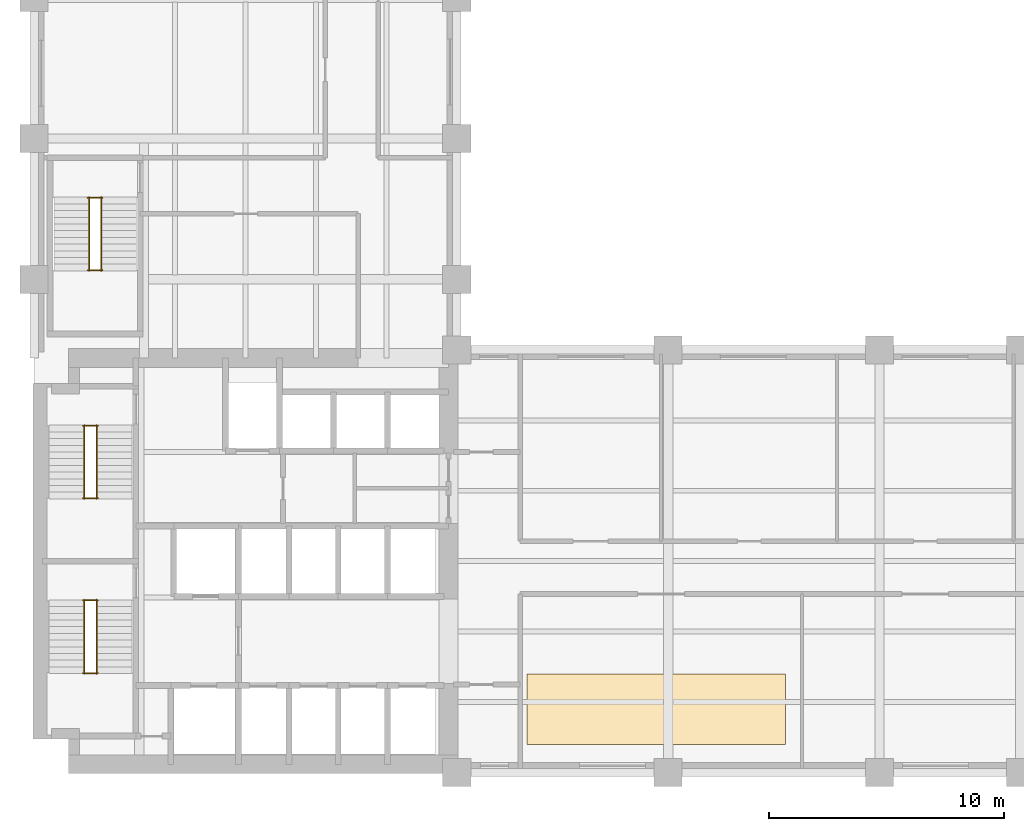
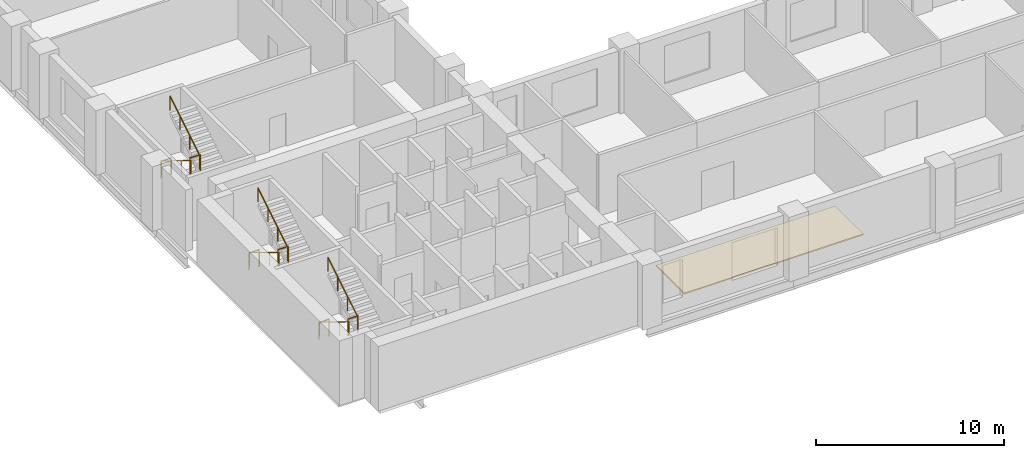
# One storey, part 7 of 7: 12 railings, 1 covering.
"""IFC4 building model written with IfcOpenShell, lengths in metres."""

from ifc_helpers import new_model, si_unit, direction, frame, origin, origin_2d, place, context, subcontext, project, spatial, polyline, circle, outline, extrude, material, layer, layer_set, type_object, element, save


model = new_model("IFC4")

# Units and contexts
model_context = context("Model", 3, precision=1e-05, world=origin(), true_north=direction((0.0, 1.0)))
body_context = subcontext(model_context, "Body", "Model", "MODEL_VIEW")
ifc_project = project(units=[si_unit("LENGTHUNIT", "METRE"), si_unit("AREAUNIT", "SQUARE_METRE"), si_unit("VOLUMEUNIT", "CUBIC_METRE"), si_unit("PLANEANGLEUNIT", "RADIAN"), si_unit("MASSUNIT", "GRAM", prefix="KILO")], contexts=[model_context])

# Site, building, storey
site_placement = place(None, origin())
site = spatial("IfcSite", under=ifc_project, at=site_placement, CompositionType="ELEMENT")
building_placement = place(site_placement, origin())
building = spatial("IfcBuilding", under=site, at=building_placement, Name="Mawjdan Bourse Tower", CompositionType="ELEMENT")
storey_placement = place(building_placement, frame((0.0, 0.0, 55.199951171875)))
storey = spatial("IfcBuildingStorey", under=building, at=storey_placement, Name="L12", CompositionType="ELEMENT", Elevation=55.199951171875)

# Covering
ifc_material_1 = material(Name="Calcium Sulphate Antistatic Raised Floor Tile")
ifc_layer = layer(ifc_material_1, 0.080078125)
ifc_layer_set = layer_set([ifc_layer], Name="Calcium Sulphate Antistatic Raised Floor Tile")
covering_type = type_object("IfcCoveringType", Name="COV-FLR-450", PredefinedType="FLOORING", material=ifc_layer_set)
covering_placement = place(storey_placement, origin())
element("IfcCovering", 1, at=covering_placement, inside=storey, type_object=covering_type, Name="L12 Antistatic Raised Access Trading Floor", PredefinedType="FLOORING", context=body_context, shape_type="SweptSolid", body=[
    extrude(outline(polyline([(27.0, 4.199951171875), (38.0, 4.199951171875), (38.0, 7.199951171875), (27.0, 7.199951171875), (27.0, 4.199951171875)])), origin(), (0.0, 0.0, 1.0), 0.080078125),
])

# Railings
ifc_material_2 = material(Name="Structural Steel S355", Category="steel")
railing_type_1 = type_object("IfcRailingType", Name="RLG-GRD-1100", PredefinedType="GUARDRAIL", material=ifc_material_2)
for number, where, name in (
    (2, (8.090087890625, 7.235107421875, 2.10009765625), "L12 ST1 Landing Guardrail GL-MID"),
    (3, (8.090087890625, 10.330078125, 0.0), "L12 ST1 Landing Guardrail GL-BOT"),
    (4, (8.090087890625, 14.675048828125, 2.10009765625), "L12 ST2 Landing Guardrail GL-MID"),
    (5, (8.090087890625, 17.77001953125, 0.0), "L12 ST2 Landing Guardrail GL-BOT"),
    (6, (8.2900390625, 24.385009765625, 2.10009765625), "L12 ST3 Landing Guardrail GL-MID"),
    (7, (8.2900390625, 27.47998046875, 0.0), "L12 ST3 Landing Guardrail GL-BOT"),
):
    element("IfcRailing", number, at=place(storey_placement, frame(where)), inside=storey, type_object=railing_type_1, Name=name, PredefinedType="GUARDRAIL", context=body_context, shape_type="SweptSolid", body=[
        extrude(circle(Radius=0.02490234375, at=origin_2d()), frame((0.0, 0.0, 1.0751953125), z_axis=(1.0, 0.0, 0.0), x_axis=(0.0, 1.0, 0.0)), (0.0, 0.0, 1.0), 0.619873046875),
        extrude(circle(Radius=0.02099609375, at=origin_2d()), origin(), (0.0, 0.0, 1.0), 1.050048828125),
        extrude(circle(Radius=0.02099609375, at=origin_2d()), frame((0.619873046875, 0.0, 0.0)), (0.0, 0.0, 1.0), 1.050048828125),
    ])
ifc_material_3 = material(Name="Brushed Stainless Steel", Category="steel")
railing_type_2 = type_object("IfcRailingType", Name="RLG-HND-920", PredefinedType="HANDRAIL", material=ifc_material_3)
railing_1_placement = place(storey_placement, frame((8.139892578125, 10.35009765625, 0.175048828125)))
element("IfcRailing", 8, at=railing_1_placement, inside=storey, type_object=railing_type_2, Name="L12 ST1 Flight Handrail HR1", PredefinedType="HANDRAIL", context=body_context, shape_type="SweptSolid", body=[
    extrude(circle(Radius=0.0224609375, at=origin_2d()), frame((0.0, 0.0, 0.8974609375), z_axis=(0.0, -0.852166034122, 0.523271488128), x_axis=(1.0, 0.0, 0.0)), (0.0, 0.0, 1.0), 3.678955078125),
    extrude(circle(Radius=0.01904296875, at=origin_2d()), origin(), (0.0, 0.0, 1.0), 0.875),
    extrude(circle(Radius=0.01904296875, at=origin_2d()), frame((0.0, -1.044921875, 0.6416015625)), (0.0, 0.0, 1.0), 0.875),
    extrude(circle(Radius=0.01904296875, at=origin_2d()), frame((0.0, -2.090087890625, 1.283447265625)), (0.0, 0.0, 1.0), 0.875),
    extrude(circle(Radius=0.01904296875, at=origin_2d()), frame((0.0, -3.135009765625, 1.925048828125)), (0.0, 0.0, 1.0), 0.875),
])
railing_2_placement = place(storey_placement, frame((8.659912109375, 7.215087890625, 2.275146484375)))
element("IfcRailing", 9, at=railing_2_placement, inside=storey, type_object=railing_type_2, Name="L12 ST1 Flight Handrail HR2", PredefinedType="HANDRAIL", context=body_context, shape_type="SweptSolid", body=[
    extrude(circle(Radius=0.0224609375, at=origin_2d()), frame((0.0, 0.0, 0.8974609375), z_axis=(0.0, 0.852195625947, 0.523223293744), x_axis=(-1.0, 0.0, 0.0)), (0.0, 0.0, 1.0), 3.6787109375),
    extrude(circle(Radius=0.01904296875, at=origin_2d()), origin(), (0.0, 0.0, 1.0), 0.875),
    extrude(circle(Radius=0.01904296875, at=origin_2d()), frame((0.0, 1.044921875, 0.6416015625)), (0.0, 0.0, 1.0), 0.875),
    extrude(circle(Radius=0.01904296875, at=origin_2d()), frame((0.0, 2.090087890625, 1.283203125)), (0.0, 0.0, 1.0), 0.875),
    extrude(circle(Radius=0.01904296875, at=origin_2d()), frame((0.0, 3.135009765625, 1.9248046875)), (0.0, 0.0, 1.0), 0.875),
])
railing_3_placement = place(storey_placement, frame((8.139892578125, 17.7900390625, 0.175048828125)))
element("IfcRailing", 10, at=railing_3_placement, inside=storey, type_object=railing_type_2, Name="L12 ST2 Flight Handrail HR1", PredefinedType="HANDRAIL", context=body_context, shape_type="SweptSolid", body=[
    extrude(circle(Radius=0.0224609375, at=origin_2d()), frame((0.0, 0.0, 0.8974609375), z_axis=(0.0, -0.852166034122, 0.523271488128), x_axis=(1.0, 0.0, 0.0)), (0.0, 0.0, 1.0), 3.678955078125),
    extrude(circle(Radius=0.01904296875, at=origin_2d()), origin(), (0.0, 0.0, 1.0), 0.875),
    extrude(circle(Radius=0.01904296875, at=origin_2d()), frame((0.0, -1.044921875, 0.6416015625)), (0.0, 0.0, 1.0), 0.875),
    extrude(circle(Radius=0.01904296875, at=origin_2d()), frame((0.0, -2.090087890625, 1.283447265625)), (0.0, 0.0, 1.0), 0.875),
    extrude(circle(Radius=0.01904296875, at=origin_2d()), frame((0.0, -3.135009765625, 1.925048828125)), (0.0, 0.0, 1.0), 0.875),
])
railing_4_placement = place(storey_placement, frame((8.659912109375, 14.655029296875, 2.275146484375)))
element("IfcRailing", 11, at=railing_4_placement, inside=storey, type_object=railing_type_2, Name="L12 ST2 Flight Handrail HR2", PredefinedType="HANDRAIL", context=body_context, shape_type="SweptSolid", body=[
    extrude(circle(Radius=0.0224609375, at=origin_2d()), frame((0.0, 0.0, 0.8974609375), z_axis=(0.0, 0.852195625947, 0.523223293744), x_axis=(-1.0, 0.0, 0.0)), (0.0, 0.0, 1.0), 3.6787109375),
    extrude(circle(Radius=0.01904296875, at=origin_2d()), origin(), (0.0, 0.0, 1.0), 0.875),
    extrude(circle(Radius=0.01904296875, at=origin_2d()), frame((0.0, 1.044921875, 0.6416015625)), (0.0, 0.0, 1.0), 0.875),
    extrude(circle(Radius=0.01904296875, at=origin_2d()), frame((0.0, 2.090087890625, 1.283203125)), (0.0, 0.0, 1.0), 0.875),
    extrude(circle(Radius=0.01904296875, at=origin_2d()), frame((0.0, 3.135009765625, 1.9248046875)), (0.0, 0.0, 1.0), 0.875),
])
railing_5_placement = place(storey_placement, frame((8.340087890625, 27.5, 0.175048828125)))
element("IfcRailing", 12, at=railing_5_placement, inside=storey, type_object=railing_type_2, Name="L12 ST3 Flight Handrail HR1", PredefinedType="HANDRAIL", context=body_context, shape_type="SweptSolid", body=[
    extrude(circle(Radius=0.0224609375, at=origin_2d()), frame((0.0, 0.0, 0.8974609375), z_axis=(0.0, -0.852166034122, 0.523271488128), x_axis=(1.0, 0.0, 0.0)), (0.0, 0.0, 1.0), 3.678955078125),
    extrude(circle(Radius=0.01904296875, at=origin_2d()), origin(), (0.0, 0.0, 1.0), 0.875),
    extrude(circle(Radius=0.01904296875, at=origin_2d()), frame((0.0, -1.044921875, 0.6416015625)), (0.0, 0.0, 1.0), 0.875),
    extrude(circle(Radius=0.01904296875, at=origin_2d()), frame((0.0, -2.090087890625, 1.283447265625)), (0.0, 0.0, 1.0), 0.875),
    extrude(circle(Radius=0.01904296875, at=origin_2d()), frame((0.0, -3.135009765625, 1.925048828125)), (0.0, 0.0, 1.0), 0.875),
])
railing_6_placement = place(storey_placement, frame((8.860107421875, 24.364990234375, 2.275146484375)))
element("IfcRailing", 13, at=railing_6_placement, inside=storey, type_object=railing_type_2, Name="L12 ST3 Flight Handrail HR2", PredefinedType="HANDRAIL", context=body_context, shape_type="SweptSolid", body=[
    extrude(circle(Radius=0.0224609375, at=origin_2d()), frame((0.0, 0.0, 0.8974609375), z_axis=(0.0, 0.852195625947, 0.523223293744), x_axis=(-1.0, 0.0, 0.0)), (0.0, 0.0, 1.0), 3.6787109375),
    extrude(circle(Radius=0.01904296875, at=origin_2d()), origin(), (0.0, 0.0, 1.0), 0.875),
    extrude(circle(Radius=0.01904296875, at=origin_2d()), frame((0.0, 1.044921875, 0.6416015625)), (0.0, 0.0, 1.0), 0.875),
    extrude(circle(Radius=0.01904296875, at=origin_2d()), frame((0.0, 2.090087890625, 1.283203125)), (0.0, 0.0, 1.0), 0.875),
    extrude(circle(Radius=0.01904296875, at=origin_2d()), frame((0.0, 3.135009765625, 1.9248046875)), (0.0, 0.0, 1.0), 0.875),
])

save(model, "model.ifc")
